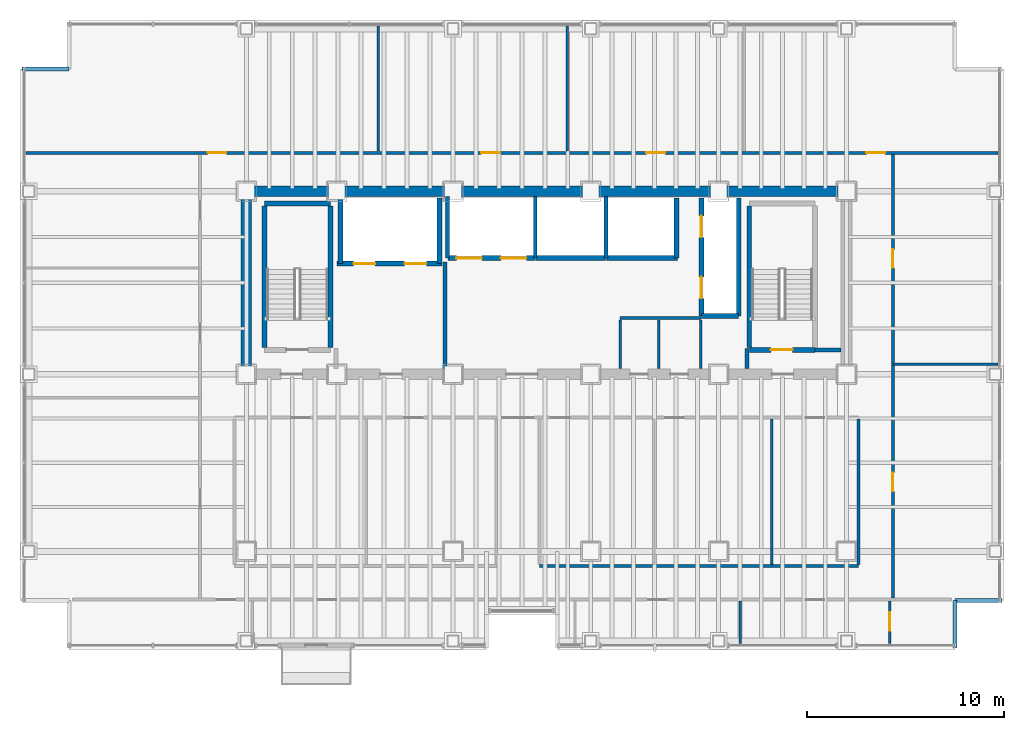
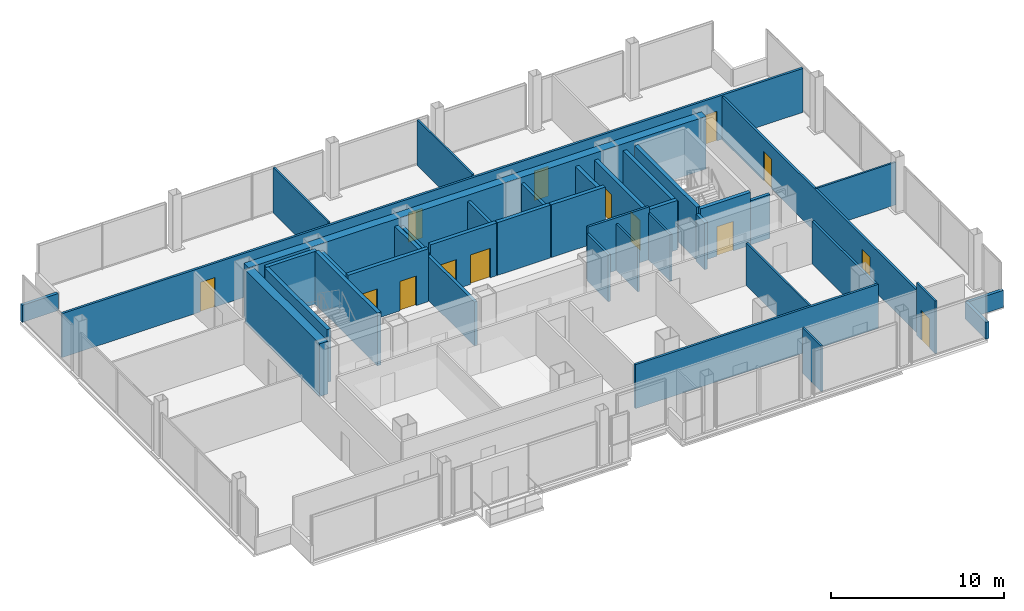
# One storey, part 19 of 21: 40 walls, 14 doors, 14 openings.
"""IFC4 building model written with IfcOpenShell, lengths in metres."""

from ifc_helpers import new_model, si_unit, direction, frame, frame_2d, origin, place, context, subcontext, project, spatial, rectangle, extrude, material, layer, layer_set, type_object, element, fill, save


model = new_model("IFC4")

# Units and contexts
model_context = context("Model", 3, precision=1e-05, world=origin(), true_north=direction((0.0, 1.0)))
body_context = subcontext(model_context, "Body", "Model", "MODEL_VIEW")
ifc_project = project(units=[si_unit("LENGTHUNIT", "METRE"), si_unit("AREAUNIT", "SQUARE_METRE"), si_unit("VOLUMEUNIT", "CUBIC_METRE"), si_unit("PLANEANGLEUNIT", "RADIAN"), si_unit("MASSUNIT", "GRAM", prefix="KILO")], contexts=[model_context])

# Site, building, storey
site_placement = place(None, origin())
site = spatial("IfcSite", under=ifc_project, at=site_placement, CompositionType="ELEMENT")
building_placement = place(site_placement, origin())
building = spatial("IfcBuilding", under=site, at=building_placement, Name="Noeulbin Bourse Tower", CompositionType="ELEMENT")
storey_placement = place(building_placement, frame((0.0, 0.0, 38.199951171875)))
storey = spatial("IfcBuildingStorey", under=building, at=storey_placement, Name="L09", CompositionType="ELEMENT", Elevation=38.199951171875)

# Walls
ifc_material_1 = material(Name="Concrete C60/75", Category="concrete")
ifc_layer_1 = layer(ifc_material_1, 0.550048828125)
ifc_layer_set_1 = layer_set([ifc_layer_1], Name="Concrete C60/75")
wall_type_1 = type_object("IfcWallType", Name="WAL-CORE-550", PredefinedType="SHEAR", material=ifc_layer_set_1)
wall_1_placement = place(storey_placement, frame((13.5, 38.300048828125, 0.0), z_axis=(0.0, 0.0, 1.0), x_axis=(1.0, 0.0, 0.0)))
element("IfcWall", 1, at=wall_1_placement, inside=storey, type_object=wall_type_1, Name="Rear Core North Shear Wall L09", PredefinedType="SHEAR", context=body_context, shape_type="SweptSolid", body=[
    extrude(rectangle(XDim=30.5, YDim=0.550048828125, at=frame_2d((15.25, 0.0))), origin(), (0.0, 0.0, 1.0), 3.719970703125),
])
wall_2_placement = place(storey_placement, frame((13.5, 29.35009765625, 0.0), z_axis=(0.0, 0.0, 1.0), x_axis=(0.0, 1.0, 0.0)))
element("IfcWall", 2, at=wall_2_placement, inside=storey, type_object=wall_type_1, Name="Rear Core West Shear Wall L09", PredefinedType="SHEAR", context=body_context, shape_type="SweptSolid", body=[
    extrude(rectangle(XDim=8.599853515625, YDim=0.550048828125, at=frame_2d((4.2998046875, 0.0))), origin(), (0.0, 0.0, 1.0), 3.719970703125),
])
ifc_material_2 = material(Name="Concrete C40/50", Category="concrete")
ifc_layer_2 = layer(ifc_material_2, 0.199951171875)
ifc_layer_set_2 = layer_set([ifc_layer_2], Name="Concrete C40/50")
wall_type_2 = type_object("IfcWallType", Name="WAL-FIRE-200", PredefinedType="STANDARD", material=ifc_layer_set_2)
wall_3_placement = place(storey_placement, frame((42.39990234375, 30.239990234375, 0.0), z_axis=(0.0, 0.0, 1.0), x_axis=(1.0, 0.0, 0.0)))
element("IfcWall", 3, at=wall_3_placement, inside=storey, type_object=wall_type_2, Name="Interior Partition Wall L09-01", PredefinedType="STANDARD", context=body_context, shape_type="SweptSolid", body=[
    extrude(rectangle(XDim=1.315185546875, YDim=0.199951171875, at=frame_2d((0.65771484375, 0.0))), origin(), (0.0, 0.0, 1.0), 3.10009765625),
])
wall_4_placement = place(storey_placement, frame((38.949951171875, 29.284912109375, 0.0), z_axis=(0.0, 0.0, 1.0), x_axis=(0.0, 1.0, 0.0)))
element("IfcWall", 4, at=wall_4_placement, inside=storey, type_object=wall_type_2, Name="Interior Partition Wall L09-12", PredefinedType="STANDARD", context=body_context, shape_type="SweptSolid", body=[
    extrude(rectangle(XDim=1.01513671875, YDim=0.199951171875, at=frame_2d((0.507568359375, 0.0))), origin(), (0.0, 0.0, 1.0), 3.300048828125),
])
wall_5_placement = place(storey_placement, frame((23.60009765625, 29.284912109375, 0.0), z_axis=(0.0, 0.0, 1.0), x_axis=(0.0, 1.0, 0.0)))
element("IfcWall", 5, at=wall_5_placement, inside=storey, type_object=wall_type_2, Name="Interior Partition Wall L09-13", PredefinedType="STANDARD", context=body_context, shape_type="SweptSolid", body=[
    extrude(rectangle(XDim=5.4150390625, YDim=0.199951171875, at=frame_2d((2.70751953125, 0.0))), origin(), (0.0, 0.0, 1.0), 3.10009765625),
])
ifc_layer_3 = layer(ifc_material_2, 0.199951171875)
ifc_layer_set_3 = layer_set([ifc_layer_3], Name="Concrete C40/50")
wall_type_3 = type_object("IfcWallType", Name="WAL-PAR-200", PredefinedType="PARAPET", material=ifc_layer_set_3)
for number, where, z_axis, x_axis, name in (
    (6, (49.5, 15.10009765625, 0.0), (0.0, 0.0, 1.0), (0.0, 1.0, 0.0), "Corner Notch Parapet L09-SE1"),
    (7, (49.5, 17.5, 0.0), (0.0, 0.0, 1.0), (1.0, 0.0, 0.0), "Corner Notch Parapet L09-SE2"),
    (8, (2.10009765625, 44.5, 0.0), (0.0, 0.0, 1.0), (1.0, 0.0, 0.0), "Corner Notch Parapet L09-NW1"),
):
    element("IfcWall", number, at=place(storey_placement, frame(where, z_axis=z_axis, x_axis=x_axis)), inside=storey, type_object=wall_type_3, Name=name, PredefinedType="PARAPET", context=body_context, shape_type="SweptSolid", body=[
        extrude(rectangle(XDim=2.39990234375, YDim=0.199951171875, at=frame_2d((1.199951171875, 0.0))), origin(), (0.0, 0.0, 1.0), 1.199951171875),
    ])
ifc_material_3 = material(Name="Steel Stud Gypsum Partition", Category="steel")
ifc_layer_4 = layer(ifc_material_3, 0.1201171875)
ifc_layer_set_4 = layer_set([ifc_layer_4], Name="Steel Stud Gypsum Partition")
wall_type_4 = type_object("IfcWallType", Name="WAL-PRT-120", PredefinedType="PARTITIONING", material=ifc_layer_set_4)
wall_6_placement = place(storey_placement, frame((46.35009765625, 29.5, 0.0), z_axis=(0.0, 0.0, 1.0), x_axis=(1.0, 0.0, 0.0)))
element("IfcWall", 9, at=wall_6_placement, inside=storey, type_object=wall_type_4, Name="Interior Partition Wall L09-09", PredefinedType="PARTITIONING", context=body_context, shape_type="SweptSolid", body=[
    extrude(rectangle(XDim=5.33984375, YDim=0.1201171875, at=frame_2d((2.669921875, 0.0))), origin(), (0.0, 0.0, 1.0), 3.0),
])
for number, where, z_axis, x_axis, name in (
    (10, (36.60009765625, 29.284912109375, 0.0), (0.0, 0.0, 1.0), (0.0, 1.0, 0.0), "Interior Partition Wall L09-15"),
    (11, (34.449951171875, 29.284912109375, 0.0), (0.0, 0.0, 1.0), (0.0, 1.0, 0.0), "Interior Partition Wall L09-16"),
):
    element("IfcWall", number, at=place(storey_placement, frame(where, z_axis=z_axis, x_axis=x_axis)), inside=storey, type_object=wall_type_4, Name=name, PredefinedType="PARTITIONING", context=body_context, shape_type="SweptSolid", body=[
        extrude(rectangle(XDim=2.47998046875, YDim=0.1201171875, at=frame_2d((1.239990234375, 0.0))), origin(), (0.0, 0.0, 1.0), 3.300048828125),
    ])
wall_7_placement = place(storey_placement, frame((38.60009765625, 15.31005859375, 0.0), z_axis=(0.0, 0.0, 1.0), x_axis=(0.0, 1.0, 0.0)))
element("IfcWall", 12, at=wall_7_placement, inside=storey, type_object=wall_type_4, Name="Interior Partition Wall L09-25", PredefinedType="PARTITIONING", context=body_context, shape_type="SweptSolid", body=[
    extrude(rectangle(XDim=2.155029296875, YDim=0.1201171875, at=frame_2d((1.07763671875, 0.0))), origin(), (0.0, 0.0, 1.0), 3.212158203125),
])

# Wall, opening, door
wall_8_placement = place(storey_placement, frame((46.199951171875, 15.31005859375, 0.0), z_axis=(0.0, 0.0, 1.0), x_axis=(0.0, 1.0, 0.0)))
wall_8 = element("IfcWall", 13, at=wall_8_placement, inside=storey, type_object=wall_type_4, Name="Interior Partition Wall L09-26", PredefinedType="PARTITIONING", context=body_context, shape_type="SweptSolid", body=[
    extrude(rectangle(XDim=2.155029296875, YDim=0.1201171875, at=frame_2d((1.07763671875, 0.0))), origin(), (0.0, 0.0, 1.0), 3.719970703125),
])
opening_1_placement = place(wall_8_placement, frame((0.64501953125, 0.0, 0.0)))
opening_1 = element("IfcOpeningElement", 14, at=opening_1_placement, cuts=wall_8, Name="Opening ID-09", PredefinedType="OPENING", context=body_context, shape_type="SweptSolid", body=[
    extrude(rectangle(XDim=0.949951171875, YDim=2.080078125, at=frame_2d((0.47509765625, 1.0400390625))), frame((0.0, 0.070068359375, 0.0), z_axis=(0.0, -1.0, 0.0), x_axis=(1.0, 0.0, 0.0)), (0.0, 0.0, 1.0), 0.14013671875),
])
ifc_material_4 = material(Name="Acoustic Solid-Core Timber", Category="wood")
door_type_1 = type_object("IfcDoorType", Name="DR-SINGLE-950", OperationType="SINGLE_SWING_LEFT", PredefinedType="DOOR", material=ifc_material_4)
door_1_placement = place(opening_1_placement, origin())
door_1 = element("IfcDoor", 15, at=door_1_placement, inside=storey, type_object=door_type_1, Name="Interior Door L09-12", OperationType="SINGLE_SWING_RIGHT", OverallHeight=2.080078125, OverallWidth=0.949951171875, PredefinedType="DOOR", context=body_context, shape_type="SweptSolid", body=[
    extrude(rectangle(XDim=0.949951171875, YDim=2.080078125, at=frame_2d((0.47509765625, 1.0400390625))), frame((0.0, 0.02490234375, 0.0), z_axis=(0.0, -1.0, 0.0), x_axis=(1.0, 0.0, 0.0)), (0.0, 0.0, 1.0), 0.050048828125),
])
fill(opening_1, door_1)

# Walls
wall_9_placement = place(storey_placement, frame((40.199951171875, 19.3349609375, 0.0), z_axis=(0.0, 0.0, 1.0), x_axis=(0.0, 1.0, 0.0)))
element("IfcWall", 16, at=wall_9_placement, inside=storey, type_object=wall_type_4, Name="Interior Partition Wall L09-29", PredefinedType="PARTITIONING", context=body_context, shape_type="SweptSolid", body=[
    extrude(rectangle(XDim=7.380126953125, YDim=0.1201171875, at=frame_2d((3.68994140625, 0.0))), origin(), (0.0, 0.0, 1.0), 3.0),
])
for number, where, z_axis, x_axis, name in (
    (17, (20.199951171875, 40.3349609375, 0.0), (0.0, 0.0, 1.0), (0.0, 1.0, 0.0), "Interior Partition Wall L09-30"),
    (18, (29.800048828125, 40.3349609375, 0.0), (0.0, 0.0, 1.0), (0.0, 1.0, 0.0), "Interior Partition Wall L09-31"),
):
    element("IfcWall", number, at=place(storey_placement, frame(where, z_axis=z_axis, x_axis=x_axis)), inside=storey, type_object=wall_type_4, Name=name, PredefinedType="PARTITIONING", context=body_context, shape_type="SweptSolid", body=[
        extrude(rectangle(XDim=6.35498046875, YDim=0.1201171875, at=frame_2d((3.177490234375, 0.0))), origin(), (0.0, 0.0, 1.0), 3.212158203125),
    ])
ifc_material_5 = material(Name="Steel Stud Acoustic Gypsum Board", Category="steel")
ifc_layer_5 = layer(ifc_material_5, 0.14990234375)
ifc_layer_set_5 = layer_set([ifc_layer_5], Name="Steel Stud Acoustic Gypsum Board")
wall_type_5 = type_object("IfcWallType", Name="WAL-PRT-150", PredefinedType="PARTITIONING", material=ifc_layer_set_5)
wall_10_placement = place(storey_placement, frame((32.5, 31.85009765625, 0.0), z_axis=(0.0, 0.0, 1.0), x_axis=(1.0, 0.0, 0.0)))
element("IfcWall", 19, at=wall_10_placement, inside=storey, type_object=wall_type_5, Name="Interior Partition Wall L09-02", PredefinedType="PARTITIONING", context=body_context, shape_type="SweptSolid", body=[
    extrude(rectangle(XDim=4.10009765625, YDim=0.14990234375, at=frame_2d((2.050048828125, 0.0))), origin(), (0.0, 0.0, 1.0), 3.719970703125),
])
wall_11_placement = place(storey_placement, frame((28.39990234375, 19.25, 0.0), z_axis=(0.0, 0.0, 1.0), x_axis=(1.0, 0.0, 0.0)))
element("IfcWall", 20, at=wall_11_placement, inside=storey, type_object=wall_type_5, Name="Interior Partition Wall L09-06", PredefinedType="PARTITIONING", context=body_context, shape_type="SweptSolid", body=[
    extrude(rectangle(XDim=16.2001953125, YDim=0.14990234375, at=frame_2d((8.10009765625, 0.0))), origin(), (0.0, 0.0, 1.0), 3.10009765625),
])

# Wall, openings, doors
wall_12_placement = place(storey_placement, frame((2.31005859375, 40.25, 0.0), z_axis=(0.0, 0.0, 1.0), x_axis=(1.0, 0.0, 0.0)))
wall_12 = element("IfcWall", 21, at=wall_12_placement, inside=storey, type_object=wall_type_5, Name="Interior Partition Wall L09-10", PredefinedType="PARTITIONING", context=body_context, shape_type="SweptSolid", body=[
    extrude(rectangle(XDim=49.3798828125, YDim=0.14990234375, at=frame_2d((24.68994140625, 0.0))), origin(), (0.0, 0.0, 1.0), 3.10009765625),
])
opening_2_placement = place(wall_12_placement, frame((9.22998046875, 0.0, 0.0)))
opening_2 = element("IfcOpeningElement", 22, at=opening_2_placement, cuts=wall_12, Name="Opening ID-09", PredefinedType="OPENING", context=body_context, shape_type="SweptSolid", body=[
    extrude(rectangle(XDim=0.949951171875, YDim=2.080078125, at=frame_2d((0.47509765625, 1.0400390625))), frame((0.0, 0.0849609375, 0.0), z_axis=(0.0, -1.0, 0.0), x_axis=(1.0, 0.0, 0.0)), (0.0, 0.0, 1.0), 0.169921875),
])
opening_3_placement = place(wall_12_placement, frame((23.114990234375, 0.0, 0.0)))
opening_3 = element("IfcOpeningElement", 23, at=opening_3_placement, cuts=wall_12, Name="Opening ID-09", PredefinedType="OPENING", context=body_context, shape_type="SweptSolid", body=[
    extrude(rectangle(XDim=0.949951171875, YDim=2.080078125, at=frame_2d((0.47509765625, 1.0400390625))), frame((0.0, 0.0849609375, 0.0), z_axis=(0.0, -1.0, 0.0), x_axis=(1.0, 0.0, 0.0)), (0.0, 0.0, 1.0), 0.169921875),
])
opening_4_placement = place(wall_12_placement, frame((31.514892578125, 0.0, 0.0)))
opening_4 = element("IfcOpeningElement", 24, at=opening_4_placement, cuts=wall_12, Name="Opening ID-09", PredefinedType="OPENING", context=body_context, shape_type="SweptSolid", body=[
    extrude(rectangle(XDim=0.949951171875, YDim=2.080078125, at=frame_2d((0.47509765625, 1.0400390625))), frame((0.0, 0.0849609375, 0.0), z_axis=(0.0, -1.0, 0.0), x_axis=(1.0, 0.0, 0.0)), (0.0, 0.0, 1.0), 0.169921875),
])
opening_5_placement = place(wall_12_placement, frame((42.699951171875, 0.0, 0.0)))
opening_5 = element("IfcOpeningElement", 25, at=opening_5_placement, cuts=wall_12, Name="Opening ID-09", PredefinedType="OPENING", context=body_context, shape_type="SweptSolid", body=[
    extrude(rectangle(XDim=0.949951171875, YDim=2.080078125, at=frame_2d((0.47509765625, 1.0400390625))), frame((0.0, 0.0849609375, 0.0), z_axis=(0.0, -1.0, 0.0), x_axis=(1.0, 0.0, 0.0)), (0.0, 0.0, 1.0), 0.169921875),
])
door_2_placement = place(opening_2_placement, origin())
door_2 = element("IfcDoor", 26, at=door_2_placement, inside=storey, type_object=door_type_1, Name="Interior Door L09-23", OperationType="SINGLE_SWING_LEFT", OverallHeight=2.080078125, OverallWidth=0.949951171875, PredefinedType="DOOR", context=body_context, shape_type="SweptSolid", body=[
    extrude(rectangle(XDim=0.949951171875, YDim=2.080078125, at=frame_2d((0.47509765625, 1.0400390625))), frame((0.0, 0.02490234375, 0.0), z_axis=(0.0, -1.0, 0.0), x_axis=(1.0, 0.0, 0.0)), (0.0, 0.0, 1.0), 0.050048828125),
])
fill(opening_2, door_2)
door_3_placement = place(opening_3_placement, origin())
door_3 = element("IfcDoor", 27, at=door_3_placement, inside=storey, type_object=door_type_1, Name="Interior Door L09-24", OperationType="SINGLE_SWING_RIGHT", OverallHeight=2.080078125, OverallWidth=0.949951171875, PredefinedType="DOOR", context=body_context, shape_type="SweptSolid", body=[
    extrude(rectangle(XDim=0.949951171875, YDim=2.080078125, at=frame_2d((0.47509765625, 1.0400390625))), frame((0.0, 0.02490234375, 0.0), z_axis=(0.0, -1.0, 0.0), x_axis=(1.0, 0.0, 0.0)), (0.0, 0.0, 1.0), 0.050048828125),
])
fill(opening_3, door_3)
door_4_placement = place(opening_4_placement, origin())
door_4 = element("IfcDoor", 28, at=door_4_placement, inside=storey, type_object=door_type_1, Name="Interior Door L09-25", OperationType="SINGLE_SWING_LEFT", OverallHeight=2.080078125, OverallWidth=0.949951171875, PredefinedType="DOOR", context=body_context, shape_type="SweptSolid", body=[
    extrude(rectangle(XDim=0.949951171875, YDim=2.080078125, at=frame_2d((0.47509765625, 1.0400390625))), frame((0.0, 0.02490234375, 0.0), z_axis=(0.0, -1.0, 0.0), x_axis=(1.0, 0.0, 0.0)), (0.0, 0.0, 1.0), 0.050048828125),
])
fill(opening_4, door_4)
door_5_placement = place(opening_5_placement, origin())
door_5 = element("IfcDoor", 29, at=door_5_placement, inside=storey, type_object=door_type_1, Name="Interior Door L09-26", OperationType="SINGLE_SWING_RIGHT", OverallHeight=2.080078125, OverallWidth=0.949951171875, PredefinedType="DOOR", context=body_context, shape_type="SweptSolid", body=[
    extrude(rectangle(XDim=0.949951171875, YDim=2.080078125, at=frame_2d((0.47509765625, 1.0400390625))), frame((0.0, 0.02490234375, 0.0), z_axis=(0.0, -1.0, 0.0), x_axis=(1.0, 0.0, 0.0)), (0.0, 0.0, 1.0), 0.050048828125),
])
fill(opening_5, door_5)

# Wall
wall_13_placement = place(storey_placement, frame((32.5, 29.284912109375, 0.0), z_axis=(0.0, 0.0, 1.0), x_axis=(0.0, 1.0, 0.0)))
element("IfcWall", 30, at=wall_13_placement, inside=storey, type_object=wall_type_5, Name="Interior Partition Wall L09-14", PredefinedType="PARTITIONING", context=body_context, shape_type="SweptSolid", body=[
    extrude(rectangle(XDim=2.47998046875, YDim=0.14990234375, at=frame_2d((1.239990234375, 0.0))), origin(), (0.0, 0.0, 1.0), 3.300048828125),
])

# Wall, openings, doors
wall_14_placement = place(storey_placement, frame((46.35009765625, 17.635009765625, 0.0), z_axis=(0.0, 0.0, 1.0), x_axis=(0.0, 1.0, 0.0)))
wall_14 = element("IfcWall", 31, at=wall_14_placement, inside=storey, type_object=wall_type_5, Name="Interior Partition Wall L09-21", PredefinedType="PARTITIONING", context=body_context, shape_type="SweptSolid", body=[
    extrude(rectangle(XDim=22.530029296875, YDim=0.14990234375, at=frame_2d((11.26513671875, 0.0))), origin(), (0.0, 0.0, 1.0), 3.0),
])
opening_6_placement = place(wall_14_placement, frame((5.4150390625, 0.0, 0.0)))
opening_6 = element("IfcOpeningElement", 32, at=opening_6_placement, cuts=wall_14, Name="Opening ID-09", PredefinedType="OPENING", context=body_context, shape_type="SweptSolid", body=[
    extrude(rectangle(XDim=0.949951171875, YDim=2.080078125, at=frame_2d((0.47509765625, 1.0400390625))), frame((0.0, 0.0849609375, 0.0), z_axis=(0.0, -1.0, 0.0), x_axis=(1.0, 0.0, 0.0)), (0.0, 0.0, 1.0), 0.169921875),
])
opening_7_placement = place(wall_14_placement, frame((16.764892578125, 0.0, 0.0)))
opening_7 = element("IfcOpeningElement", 33, at=opening_7_placement, cuts=wall_14, Name="Opening ID-09", PredefinedType="OPENING", context=body_context, shape_type="SweptSolid", body=[
    extrude(rectangle(XDim=0.949951171875, YDim=2.080078125, at=frame_2d((0.47509765625, 1.0400390625))), frame((0.0, 0.0849609375, 0.0), z_axis=(0.0, -1.0, 0.0), x_axis=(1.0, 0.0, 0.0)), (0.0, 0.0, 1.0), 0.169921875),
])
door_6_placement = place(opening_6_placement, origin())
door_6 = element("IfcDoor", 34, at=door_6_placement, inside=storey, type_object=door_type_1, Name="Interior Door L09-21", OperationType="SINGLE_SWING_LEFT", OverallHeight=2.080078125, OverallWidth=0.949951171875, PredefinedType="DOOR", context=body_context, shape_type="SweptSolid", body=[
    extrude(rectangle(XDim=0.949951171875, YDim=2.080078125, at=frame_2d((0.47509765625, 1.0400390625))), frame((0.0, 0.02490234375, 0.0), z_axis=(0.0, -1.0, 0.0), x_axis=(1.0, 0.0, 0.0)), (0.0, 0.0, 1.0), 0.050048828125),
])
fill(opening_6, door_6)
door_7_placement = place(opening_7_placement, origin())
door_7 = element("IfcDoor", 35, at=door_7_placement, inside=storey, type_object=door_type_1, Name="Interior Door L09-22", OperationType="SINGLE_SWING_RIGHT", OverallHeight=2.080078125, OverallWidth=0.949951171875, PredefinedType="DOOR", context=body_context, shape_type="SweptSolid", body=[
    extrude(rectangle(XDim=0.949951171875, YDim=2.080078125, at=frame_2d((0.47509765625, 1.0400390625))), frame((0.0, 0.02490234375, 0.0), z_axis=(0.0, -1.0, 0.0), x_axis=(1.0, 0.0, 0.0)), (0.0, 0.0, 1.0), 0.050048828125),
])
fill(opening_7, door_7)

# Walls
wall_15_placement = place(storey_placement, frame((44.60009765625, 19.3349609375, 0.0), z_axis=(0.0, 0.0, 1.0), x_axis=(0.0, 1.0, 0.0)))
element("IfcWall", 36, at=wall_15_placement, inside=storey, type_object=wall_type_5, Name="Interior Partition Wall L09-22", PredefinedType="PARTITIONING", context=body_context, shape_type="SweptSolid", body=[
    extrude(rectangle(XDim=7.380126953125, YDim=0.14990234375, at=frame_2d((3.68994140625, 0.0))), origin(), (0.0, 0.0, 1.0), 3.0),
])
ifc_layer_6 = layer(ifc_material_2, 0.25)
ifc_layer_set_6 = layer_set([ifc_layer_6], Name="Concrete C40/50")
wall_type_6 = type_object("IfcWallType", Name="WAL-SHFT-250", PredefinedType="STANDARD", material=ifc_layer_set_6)
wall_16_placement = place(storey_placement, frame((14.429931640625, 37.6689453125, 0.0), z_axis=(0.0, 0.0, 1.0), x_axis=(1.0, 0.0, 0.0)))
element("IfcWall", 37, at=wall_16_placement, inside=storey, type_object=wall_type_6, Name="Stair ST-1 North Shaft Wall L09", PredefinedType="STANDARD", context=body_context, shape_type="SweptSolid", body=[
    extrude(rectangle(XDim=3.340087890625, YDim=0.25, at=frame_2d((1.669921875, 0.0))), origin(), (0.0, 0.0, 1.0), 3.719970703125),
])
for number, where, z_axis, x_axis, name in (
    (38, (14.425048828125, 30.360107421875, 0.0), (0.0, 0.0, 1.0), (0.0, 1.0, 0.0), "Stair ST-1 West Shaft Wall L09"),
    (39, (17.77490234375, 30.360107421875, 0.0), (0.0, 0.0, 1.0), (0.0, 1.0, 0.0), "Stair ST-1 East Shaft Wall L09"),
):
    element("IfcWall", number, at=place(storey_placement, frame(where, z_axis=z_axis, x_axis=x_axis)), inside=storey, type_object=wall_type_6, Name=name, PredefinedType="STANDARD", context=body_context, shape_type="SweptSolid", body=[
        extrude(rectangle(XDim=7.183837890625, YDim=0.25, at=frame_2d((3.591796875, 0.0))), origin(), (0.0, 0.0, 1.0), 3.719970703125),
    ])

# Wall, opening, door
wall_17_placement = place(storey_placement, frame((39.06005859375, 30.235107421875, 0.0), z_axis=(0.0, 0.0, 1.0), x_axis=(1.0, 0.0, 0.0)))
wall_17 = element("IfcWall", 40, at=wall_17_placement, inside=storey, type_object=wall_type_6, Name="Stair ST-2 South Shaft Wall L09", PredefinedType="STANDARD", context=body_context, shape_type="SweptSolid", body=[
    extrude(rectangle(XDim=3.33984375, YDim=0.25, at=frame_2d((1.669921875, 0.0))), origin(), (0.0, 0.0, 1.0), 3.719970703125),
])
opening_8_placement = place(wall_17_placement, frame((1.10009765625, 0.0, 0.0)))
opening_8 = element("IfcOpeningElement", 41, at=opening_8_placement, cuts=wall_17, Name="Opening FD-11", PredefinedType="OPENING", context=body_context, shape_type="SweptSolid", body=[
    extrude(rectangle(XDim=1.10009765625, YDim=2.080078125, at=frame_2d((0.550048828125, 1.0400390625))), frame((0.0, 0.135009765625, 0.0), z_axis=(0.0, -1.0, 0.0), x_axis=(1.0, 0.0, 0.0)), (0.0, 0.0, 1.0), 0.27001953125),
])
ifc_material_6 = material(Name="Fire-Rated Insulated Steel", Category="steel")
door_type_2 = type_object("IfcDoorType", Name="DR-FD60-1100", OperationType="SINGLE_SWING_LEFT", PredefinedType="DOOR", material=ifc_material_6)
door_8_placement = place(opening_8_placement, origin())
door_8 = element("IfcDoor", 42, at=door_8_placement, inside=storey, type_object=door_type_2, Name="Protected Stair Entry Door ST2-L09", OperationType="SINGLE_SWING_RIGHT", OverallHeight=2.080078125, OverallWidth=1.10009765625, PredefinedType="DOOR", context=body_context, shape_type="SweptSolid", body=[
    extrude(rectangle(XDim=1.10009765625, YDim=2.080078125, at=frame_2d((0.550048828125, 1.0400390625))), frame((0.0, 0.02490234375, 0.0), z_axis=(0.0, -1.0, 0.0), x_axis=(1.0, 0.0, 0.0)), (0.0, 0.0, 1.0), 0.050048828125),
])
fill(opening_8, door_8)

# Wall
wall_18_placement = place(storey_placement, frame((39.054931640625, 30.360107421875, 0.0), z_axis=(0.0, 0.0, 1.0), x_axis=(0.0, 1.0, 0.0)))
element("IfcWall", 43, at=wall_18_placement, inside=storey, type_object=wall_type_6, Name="Stair ST-2 West Shaft Wall L09", PredefinedType="STANDARD", context=body_context, shape_type="SweptSolid", body=[
    extrude(rectangle(XDim=7.183837890625, YDim=0.25, at=frame_2d((3.591796875, 0.0))), origin(), (0.0, 0.0, 1.0), 3.719970703125),
])

# Wall, openings, doors
wall_19_placement = place(storey_placement, frame((18.10009765625, 34.6201171875, 0.0), z_axis=(0.0, 0.0, 1.0), x_axis=(1.0, 0.0, 0.0)))
wall_19 = element("IfcWall", 44, at=wall_19_placement, inside=storey, type_object=wall_type_6, Name="Firefighting Lift Shaft Front L09", PredefinedType="STANDARD", context=body_context, shape_type="SweptSolid", body=[
    extrude(rectangle(XDim=5.349853515625, YDim=0.25, at=frame_2d((2.6748046875, 0.0))), origin(), (0.0, 0.0, 1.0), 3.719970703125),
])
opening_9_placement = place(wall_19_placement, frame((0.85009765625, 0.0, 0.0)))
opening_9 = element("IfcOpeningElement", 45, at=opening_9_placement, cuts=wall_19, Name="Opening LD-11", PredefinedType="OPENING", context=body_context, shape_type="SweptSolid", body=[
    extrude(rectangle(XDim=1.10009765625, YDim=2.080078125, at=frame_2d((0.550048828125, 1.0400390625))), frame((0.0, 0.135009765625, 0.0), z_axis=(0.0, -1.0, 0.0), x_axis=(1.0, 0.0, 0.0)), (0.0, 0.0, 1.0), 0.27001953125),
])
opening_10_placement = place(wall_19_placement, frame((3.449951171875, 0.0, 0.0)))
opening_10 = element("IfcOpeningElement", 46, at=opening_10_placement, cuts=wall_19, Name="Opening LD-11", PredefinedType="OPENING", context=body_context, shape_type="SweptSolid", body=[
    extrude(rectangle(XDim=1.10009765625, YDim=2.080078125, at=frame_2d((0.550048828125, 1.0400390625))), frame((0.0, 0.135009765625, 0.0), z_axis=(0.0, -1.0, 0.0), x_axis=(1.0, 0.0, 0.0)), (0.0, 0.0, 1.0), 0.27001953125),
])
ifc_material_7 = material(Name="Brushed Stainless Steel 316", Category="steel")
door_type_3 = type_object("IfcDoorType", Name="DR-LIFT-1100", OperationType="SLIDING_TO_LEFT", PredefinedType="DOOR", material=ifc_material_7)
door_9_placement = place(opening_9_placement, origin())
door_9 = element("IfcDoor", 47, at=door_9_placement, inside=storey, type_object=door_type_3, Name="Lift Landing Door LD-FL-01-L09", OperationType="SLIDING_TO_LEFT", OverallHeight=2.080078125, OverallWidth=1.10009765625, PredefinedType="DOOR", context=body_context, shape_type="SweptSolid", body=[
    extrude(rectangle(XDim=1.10009765625, YDim=2.080078125, at=frame_2d((0.550048828125, 1.0400390625))), frame((0.0, 0.02490234375, 0.0), z_axis=(0.0, -1.0, 0.0), x_axis=(1.0, 0.0, 0.0)), (0.0, 0.0, 1.0), 0.050048828125),
])
fill(opening_9, door_9)
door_10_placement = place(opening_10_placement, origin())
door_10 = element("IfcDoor", 48, at=door_10_placement, inside=storey, type_object=door_type_3, Name="Lift Landing Door LD-FL-02-L09", OperationType="SLIDING_TO_LEFT", OverallHeight=2.080078125, OverallWidth=1.10009765625, PredefinedType="DOOR", context=body_context, shape_type="SweptSolid", body=[
    extrude(rectangle(XDim=1.10009765625, YDim=2.080078125, at=frame_2d((0.550048828125, 1.0400390625))), frame((0.0, 0.02490234375, 0.0), z_axis=(0.0, -1.0, 0.0), x_axis=(1.0, 0.0, 0.0)), (0.0, 0.0, 1.0), 0.050048828125),
])
fill(opening_10, door_10)

wall_20_placement = place(storey_placement, frame((36.6201171875, 31.949951171875, 0.0), z_axis=(0.0, 0.0, 1.0), x_axis=(0.0, 1.0, 0.0)))
wall_20 = element("IfcWall", 49, at=wall_20_placement, inside=storey, type_object=wall_type_6, Name="Service Lift Shaft Wall L09", PredefinedType="STANDARD", context=body_context, shape_type="SweptSolid", body=[
    extrude(rectangle(XDim=6.0, YDim=0.25, at=frame_2d((3.0, 0.0))), origin(), (0.0, 0.0, 1.0), 3.300048828125),
])
opening_11_placement = place(wall_20_placement, frame((0.89990234375, 0.0, 0.0)))
opening_11 = element("IfcOpeningElement", 50, at=opening_11_placement, cuts=wall_20, Name="Opening LD-11", PredefinedType="OPENING", context=body_context, shape_type="SweptSolid", body=[
    extrude(rectangle(XDim=1.10009765625, YDim=2.080078125, at=frame_2d((0.550048828125, 1.0400390625))), frame((0.0, 0.135009765625, 0.0), z_axis=(0.0, -1.0, 0.0), x_axis=(1.0, 0.0, 0.0)), (0.0, 0.0, 1.0), 0.27001953125),
])
opening_12_placement = place(wall_20_placement, frame((4.0, 0.0, 0.0)))
opening_12 = element("IfcOpeningElement", 51, at=opening_12_placement, cuts=wall_20, Name="Opening LD-11", PredefinedType="OPENING", context=body_context, shape_type="SweptSolid", body=[
    extrude(rectangle(XDim=1.10009765625, YDim=2.080078125, at=frame_2d((0.550048828125, 1.0400390625))), frame((0.0, 0.135009765625, 0.0), z_axis=(0.0, -1.0, 0.0), x_axis=(1.0, 0.0, 0.0)), (0.0, 0.0, 1.0), 0.27001953125),
])
door_11_placement = place(opening_11_placement, origin())
door_11 = element("IfcDoor", 52, at=door_11_placement, inside=storey, type_object=door_type_3, Name="Lift Landing Door LD-EL-01-L09", OperationType="SLIDING_TO_LEFT", OverallHeight=2.080078125, OverallWidth=1.10009765625, PredefinedType="DOOR", context=body_context, shape_type="SweptSolid", body=[
    extrude(rectangle(XDim=1.10009765625, YDim=2.080078125, at=frame_2d((0.550048828125, 1.0400390625))), frame((0.0, 0.02490234375, 0.0), z_axis=(0.0, -1.0, 0.0), x_axis=(1.0, 0.0, 0.0)), (0.0, 0.0, 1.0), 0.050048828125),
])
fill(opening_11, door_11)
door_12_placement = place(opening_12_placement, origin())
door_12 = element("IfcDoor", 53, at=door_12_placement, inside=storey, type_object=door_type_3, Name="Lift Landing Door LD-SV-01-L09", OperationType="SLIDING_TO_LEFT", OverallHeight=2.080078125, OverallWidth=1.10009765625, PredefinedType="DOOR", context=body_context, shape_type="SweptSolid", body=[
    extrude(rectangle(XDim=1.10009765625, YDim=2.080078125, at=frame_2d((0.550048828125, 1.0400390625))), frame((0.0, 0.02490234375, 0.0), z_axis=(0.0, -1.0, 0.0), x_axis=(1.0, 0.0, 0.0)), (0.0, 0.0, 1.0), 0.050048828125),
])
fill(opening_12, door_12)

# Walls
wall_21_placement = place(storey_placement, frame((38.52001953125, 31.949951171875, 0.0), z_axis=(0.0, 0.0, 1.0), x_axis=(0.0, 1.0, 0.0)))
element("IfcWall", 54, at=wall_21_placement, inside=storey, type_object=wall_type_6, Name="Service Lift East Shaft Wall L09", PredefinedType="STANDARD", context=body_context, shape_type="SweptSolid", body=[
    extrude(rectangle(XDim=6.0, YDim=0.25, at=frame_2d((3.0, 0.0))), origin(), (0.0, 0.0, 1.0), 3.300048828125),
])
wall_22_placement = place(storey_placement, frame((36.6201171875, 31.949951171875, 0.0), z_axis=(0.0, 0.0, 1.0), x_axis=(1.0, 0.0, 0.0)))
element("IfcWall", 55, at=wall_22_placement, inside=storey, type_object=wall_type_6, Name="Service Lift South Shaft Wall L09", PredefinedType="STANDARD", context=body_context, shape_type="SweptSolid", body=[
    extrude(rectangle(XDim=1.89990234375, YDim=0.25, at=frame_2d((0.949951171875, 0.0))), origin(), (0.0, 0.0, 1.0), 3.47998046875),
])
for number, where, z_axis, x_axis, name in (
    (56, (18.280029296875, 34.6201171875, 0.0), (0.0, 0.0, 1.0), (0.0, 1.0, 0.0), "Firefighting Lift West Shaft Wall L09"),
    (57, (23.320068359375, 34.6201171875, 0.0), (0.0, 0.0, 1.0), (0.0, 1.0, 0.0), "Firefighting Lift East Shaft Wall L09"),
):
    element("IfcWall", number, at=place(storey_placement, frame(where, z_axis=z_axis, x_axis=x_axis)), inside=storey, type_object=wall_type_6, Name=name, PredefinedType="STANDARD", context=body_context, shape_type="SweptSolid", body=[
        extrude(rectangle(XDim=3.329833984375, YDim=0.25, at=frame_2d((1.6650390625, 0.0))), origin(), (0.0, 0.0, 1.0), 3.300048828125),
    ])
wall_23_placement = place(storey_placement, frame((35.360107421875, 34.89990234375, 0.0), z_axis=(0.0, 0.0, 1.0), x_axis=(0.0, 1.0, 0.0)))
element("IfcWall", 58, at=wall_23_placement, inside=storey, type_object=wall_type_6, Name="High-Rise Lift East Shaft Wall L09", PredefinedType="STANDARD", context=body_context, shape_type="SweptSolid", body=[
    extrude(rectangle(XDim=3.050048828125, YDim=0.25, at=frame_2d((1.52490234375, 0.0))), origin(), (0.0, 0.0, 1.0), 3.300048828125),
])

# Wall, openings, doors
wall_24_placement = place(storey_placement, frame((23.75, 34.89990234375, 0.0), z_axis=(0.0, 0.0, 1.0), x_axis=(1.0, 0.0, 0.0)))
wall_24 = element("IfcWall", 59, at=wall_24_placement, inside=storey, type_object=wall_type_6, Name="Low-Rise Lift Bank Front L09", PredefinedType="STANDARD", context=body_context, shape_type="SweptSolid", body=[
    extrude(rectangle(XDim=4.39990234375, YDim=0.25, at=frame_2d((2.199951171875, 0.0))), origin(), (0.0, 0.0, 1.0), 3.719970703125),
])
opening_13_placement = place(wall_24_placement, frame((0.419921875, 0.0, 0.0)))
opening_13 = element("IfcOpeningElement", 60, at=opening_13_placement, cuts=wall_24, Name="Opening LD-13", PredefinedType="OPENING", context=body_context, shape_type="SweptSolid", body=[
    extrude(rectangle(XDim=1.300048828125, YDim=2.080078125, at=frame_2d((0.64990234375, 1.0400390625))), frame((0.0, 0.135009765625, 0.0), z_axis=(0.0, -1.0, 0.0), x_axis=(1.0, 0.0, 0.0)), (0.0, 0.0, 1.0), 0.27001953125),
])
opening_14_placement = place(wall_24_placement, frame((2.679931640625, 0.0, 0.0)))
opening_14 = element("IfcOpeningElement", 61, at=opening_14_placement, cuts=wall_24, Name="Opening LD-13", PredefinedType="OPENING", context=body_context, shape_type="SweptSolid", body=[
    extrude(rectangle(XDim=1.300048828125, YDim=2.080078125, at=frame_2d((0.64990234375, 1.0400390625))), frame((0.0, 0.135009765625, 0.0), z_axis=(0.0, -1.0, 0.0), x_axis=(1.0, 0.0, 0.0)), (0.0, 0.0, 1.0), 0.27001953125),
])
door_type_4 = type_object("IfcDoorType", Name="DR-LIFT-1300", OperationType="DOUBLE_DOOR_SLIDING", PredefinedType="DOOR", material=ifc_material_7)
door_13_placement = place(opening_13_placement, origin())
door_13 = element("IfcDoor", 62, at=door_13_placement, inside=storey, type_object=door_type_4, Name="Lift Landing Door LD-PL-L1-L09", OperationType="DOUBLE_DOOR_SLIDING", OverallHeight=2.080078125, OverallWidth=1.300048828125, PredefinedType="DOOR", context=body_context, shape_type="SweptSolid", body=[
    extrude(rectangle(XDim=1.300048828125, YDim=2.080078125, at=frame_2d((0.64990234375, 1.0400390625))), frame((0.0, 0.02490234375, 0.0), z_axis=(0.0, -1.0, 0.0), x_axis=(1.0, 0.0, 0.0)), (0.0, 0.0, 1.0), 0.050048828125),
])
fill(opening_13, door_13)
door_14_placement = place(opening_14_placement, origin())
door_14 = element("IfcDoor", 63, at=door_14_placement, inside=storey, type_object=door_type_4, Name="Lift Landing Door LD-PL-L2-L09", OperationType="DOUBLE_DOOR_SLIDING", OverallHeight=2.080078125, OverallWidth=1.300048828125, PredefinedType="DOOR", context=body_context, shape_type="SweptSolid", body=[
    extrude(rectangle(XDim=1.300048828125, YDim=2.080078125, at=frame_2d((0.64990234375, 1.0400390625))), frame((0.0, 0.02490234375, 0.0), z_axis=(0.0, -1.0, 0.0), x_axis=(1.0, 0.0, 0.0)), (0.0, 0.0, 1.0), 0.050048828125),
])
fill(opening_14, door_14)

# Walls
wall_25_placement = place(storey_placement, frame((28.199951171875, 34.89990234375, 0.0), z_axis=(0.0, 0.0, 1.0), x_axis=(1.0, 0.0, 0.0)))
element("IfcWall", 64, at=wall_25_placement, inside=storey, type_object=wall_type_6, Name="Mid-Rise Lift Bank Front L09", PredefinedType="STANDARD", context=body_context, shape_type="SweptSolid", body=[
    extrude(rectangle(XDim=3.550048828125, YDim=0.25, at=frame_2d((1.77490234375, 0.0))), origin(), (0.0, 0.0, 1.0), 3.719970703125),
])
wall_26_placement = place(storey_placement, frame((31.800048828125, 34.89990234375, 0.0), z_axis=(0.0, 0.0, 1.0), x_axis=(1.0, 0.0, 0.0)))
element("IfcWall", 65, at=wall_26_placement, inside=storey, type_object=wall_type_6, Name="High-Rise Lift Bank Front L09", PredefinedType="STANDARD", context=body_context, shape_type="SweptSolid", body=[
    extrude(rectangle(XDim=3.599853515625, YDim=0.25, at=frame_2d((1.7998046875, 0.0))), origin(), (0.0, 0.0, 1.0), 3.719970703125),
])
wall_27_placement = place(storey_placement, frame((23.719970703125, 34.89990234375, 0.0), z_axis=(0.0, 0.0, 1.0), x_axis=(0.0, 1.0, 0.0)))
element("IfcWall", 66, at=wall_27_placement, inside=storey, type_object=wall_type_6, Name="Hoistway Side Shaft Wall L09-PLLW", PredefinedType="STANDARD", context=body_context, shape_type="SweptSolid", body=[
    extrude(rectangle(XDim=3.1201171875, YDim=0.199951171875, at=frame_2d((1.56005859375, 0.0))), origin(), (0.0, 0.0, 1.0), 3.10009765625),
])
for number, where, z_axis, x_axis, name in (
    (67, (28.179931640625, 34.89990234375, 0.0), (0.0, 0.0, 1.0), (0.0, 1.0, 0.0), "Hoistway Side Shaft Wall L09-PLMW"),
    (68, (31.780029296875, 34.89990234375, 0.0), (0.0, 0.0, 1.0), (0.0, 1.0, 0.0), "Hoistway Side Shaft Wall L09-PLHW"),
):
    element("IfcWall", number, at=place(storey_placement, frame(where, z_axis=z_axis, x_axis=x_axis)), inside=storey, type_object=wall_type_6, Name=name, PredefinedType="STANDARD", context=body_context, shape_type="SweptSolid", body=[
        extrude(rectangle(XDim=3.1201171875, YDim=0.199951171875, at=frame_2d((1.56005859375, 0.0))), origin(), (0.0, 0.0, 1.0), 3.300048828125),
    ])

save(model, "model.ifc")
